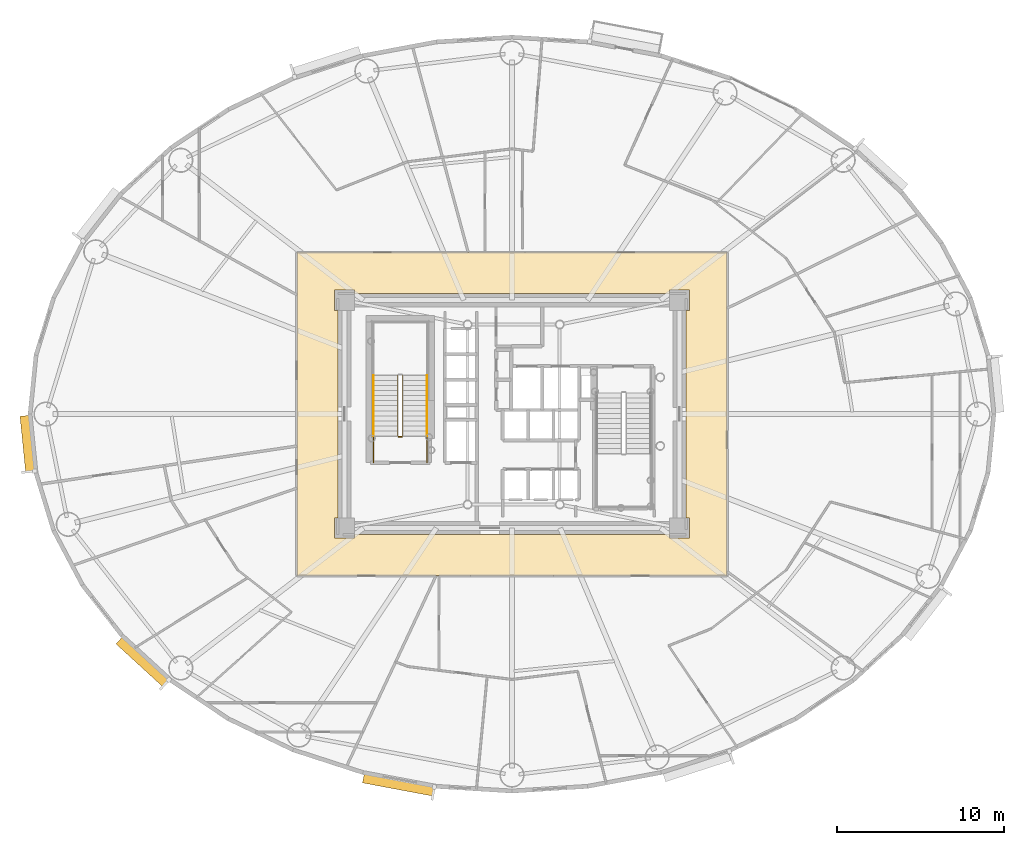
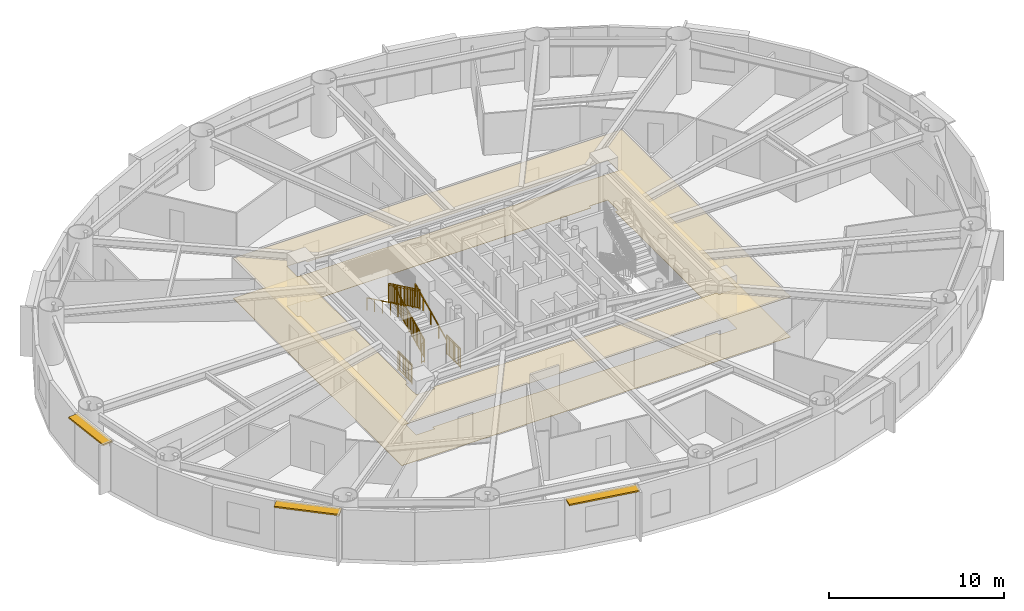
# One storey, part 13 of 17: 7 railings, 3 shading devices, 2 coverings.
"""IFC4 building model written with IfcOpenShell, lengths in metres."""

from ifc_helpers import new_model, si_unit, direction, frame, origin, origin_2d, place, context, subcontext, project, spatial, polyline, rectangle, outline, extrude, source, transform, mapped, material, layer, layer_set, type_object, element, save


model = new_model("IFC4")

# Units and contexts
model_context = context("Model", 3, precision=1e-05, world=origin(), true_north=direction((0.0, 1.0)))
body_context = subcontext(model_context, "Body", "Model", "MODEL_VIEW")
ifc_project = project(units=[si_unit("LENGTHUNIT", "METRE"), si_unit("AREAUNIT", "SQUARE_METRE"), si_unit("VOLUMEUNIT", "CUBIC_METRE"), si_unit("PLANEANGLEUNIT", "RADIAN"), si_unit("MASSUNIT", "GRAM", prefix="KILO")], contexts=[model_context])

# Site, building, storey
site_placement = place(None, origin())
site = spatial("IfcSite", under=ifc_project, at=site_placement, CompositionType="ELEMENT")
building_placement = place(site_placement, origin())
building = spatial("IfcBuilding", under=site, at=building_placement, Name="Linh Dai School and Residence Tower", CompositionType="ELEMENT")
storey_placement = place(building_placement, frame((0.0, 0.0, 142.199951171875)))
storey = spatial("IfcBuildingStorey", under=building, at=storey_placement, Name="L34", CompositionType="ELEMENT", Elevation=142.199951171875)

# Coverings
ifc_material_1 = material(Name="Mineral Fibre Acoustic Suspended Ceiling", Category="masonry")
ifc_layer_1 = layer(ifc_material_1, 0.02001953125)
ifc_layer_set_1 = layer_set([ifc_layer_1], Name="Mineral Fibre Acoustic Suspended Ceiling")
covering_type_1 = type_object("IfcCoveringType", Name="COV-CEIL-AC-20", PredefinedType="CEILING", material=ifc_layer_set_1)
covering_1_placement = place(storey_placement, frame((0.0, 0.0, 2.800048828125)))
element("IfcCovering", 1, at=covering_1_placement, inside=storey, type_object=covering_type_1, Name="L34 Residential Floor Corridor Suspended Ceiling", PredefinedType="CEILING", context=body_context, shape_type="SweptSolid", body=[
    extrude(outline(polyline([(48.85009765625, 36.64990234375), (48.85009765625, 17.35009765625), (23.14990234375, 17.35009765625), (23.14990234375, 36.64990234375), (48.85009765625, 36.64990234375)]), holes=[polyline([(26.60009765625, 34.199951171875), (26.60009765625, 34.39990234375), (25.39990234375, 34.39990234375), (25.39990234375, 33.199951171875), (25.60009765625, 33.199951171875), (25.60009765625, 20.800048828125), (25.39990234375, 20.800048828125), (25.39990234375, 19.60009765625), (26.60009765625, 19.60009765625), (26.60009765625, 19.800048828125), (45.39990234375, 19.800048828125), (45.39990234375, 19.60009765625), (46.60009765625, 19.60009765625), (46.60009765625, 20.800048828125), (46.39990234375, 20.800048828125), (46.39990234375, 33.199951171875), (46.60009765625, 33.199951171875), (46.60009765625, 34.39990234375), (45.39990234375, 34.39990234375), (45.39990234375, 34.199951171875), (26.60009765625, 34.199951171875)])]), origin(), (0.0, 0.0, 1.0), 0.02001953125),
])
ifc_material_2 = material(Name="Polished Terrazzo Floor Finish", Category="masonry")
ifc_layer_2 = layer(ifc_material_2, 0.02490234375)
ifc_layer_set_2 = layer_set([ifc_layer_2], Name="Polished Terrazzo Floor Finish")
covering_type_2 = type_object("IfcCoveringType", Name="COV-FLR-TRZ-25", PredefinedType="FLOORING", material=ifc_layer_set_2)
covering_2_placement = place(storey_placement, origin())
element("IfcCovering", 2, at=covering_2_placement, inside=storey, type_object=covering_type_2, Name="L34 Residential Floor Corridor Floor Finish", PredefinedType="FLOORING", context=body_context, shape_type="SweptSolid", body=[
    extrude(outline(polyline([(48.85009765625, 36.64990234375), (48.85009765625, 17.35009765625), (23.14990234375, 17.35009765625), (23.14990234375, 36.64990234375), (48.85009765625, 36.64990234375)]), holes=[polyline([(26.60009765625, 34.199951171875), (26.60009765625, 34.39990234375), (25.39990234375, 34.39990234375), (25.39990234375, 33.199951171875), (25.60009765625, 33.199951171875), (25.60009765625, 20.800048828125), (25.39990234375, 20.800048828125), (25.39990234375, 19.60009765625), (26.60009765625, 19.60009765625), (26.60009765625, 19.800048828125), (45.39990234375, 19.800048828125), (45.39990234375, 19.60009765625), (46.60009765625, 19.60009765625), (46.60009765625, 20.800048828125), (46.39990234375, 20.800048828125), (46.39990234375, 33.199951171875), (46.60009765625, 33.199951171875), (46.60009765625, 34.39990234375), (45.39990234375, 34.39990234375), (45.39990234375, 34.199951171875), (26.60009765625, 34.199951171875)])]), origin(), (0.0, 0.0, 1.0), 0.02001953125),
])

# Shading devices
ifc_material_3 = material(Name="Terracotta Ceramic Sunshade", Category="masonry")
ifc_layer_3 = layer(ifc_material_3, 0.10009765625)
ifc_layer_set_3 = layer_set([ifc_layer_3], Name="Terracotta Ceramic Sunshade")
shading_device_type = type_object("IfcShadingDeviceType", Name="SHD-TC-650", PredefinedType="USERDEFINED", material=ifc_layer_set_3)
shared_shape_1 = source(origin(), body_context, "Body", "SweptSolid", [
    extrude(rectangle(XDim=3.3916015625, YDim=0.64990234375, at=origin_2d()), origin(), (0.0, 0.0, 1.0), 0.10009765625),
])
shading_device_1_placement = place(storey_placement, frame((7.1181640625, 25.2138671875, 3.330078125), z_axis=(0.0, 0.0, 1.0), x_axis=(-0.100007297192, 0.994986703684, 0.0)))
element("IfcShadingDevice", 3, at=shading_device_1_placement, inside=storey, type_object=shading_device_type, Name="L34 Terracotta Horizontal Sunshade Band 21", ObjectType="SUNSHADE", PredefinedType="USERDEFINED", context=body_context, shape_type="MappedRepresentation", body=[
    mapped(shared_shape_1, transform((0.0, 0.0, 0.0), x_axis=(1.0, 0.0, 0.0), y_axis=(0.0, 1.0, 0.0), z_axis=(0.0, 0.0, 1.0), scale=1.0)),
])
shared_shape_2 = source(origin(), body_context, "Body", "SweptSolid", [
    extrude(rectangle(XDim=3.81689453125, YDim=0.64990234375, at=origin_2d()), origin(), (0.0, 0.0, 1.0), 0.10009765625),
])
shading_device_2_placement = place(storey_placement, frame((13.983642578125, 12.22998046875, 3.330078125), z_axis=(0.0, 0.0, 1.0), x_axis=(-0.737100266172, 0.675783395482, 0.0)))
element("IfcShadingDevice", 4, at=shading_device_2_placement, inside=storey, type_object=shading_device_type, Name="L34 Terracotta Horizontal Sunshade Band 25", ObjectType="SUNSHADE", PredefinedType="USERDEFINED", context=body_context, shape_type="MappedRepresentation", body=[
    mapped(shared_shape_2, transform((0.0, 0.0, 0.0), x_axis=(1.0, 0.0, 0.0), y_axis=(0.0, 1.0, 0.0), z_axis=(0.0, 0.0, 1.0), scale=1.0)),
])
shared_shape_3 = source(origin(), body_context, "Body", "SweptSolid", [
    extrude(rectangle(XDim=4.292236328125, YDim=0.64990234375, at=origin_2d()), origin(), (0.0, 0.0, 1.0), 0.10009765625),
])
shading_device_3_placement = place(storey_placement, frame((29.24462890625, 4.905517578125, 3.330078125), z_axis=(0.0, 0.0, 1.0), x_axis=(-0.982784673718, 0.18475466193, 0.0)))
element("IfcShadingDevice", 5, at=shading_device_3_placement, inside=storey, type_object=shading_device_type, Name="L34 Terracotta Horizontal Sunshade Band 29", ObjectType="SUNSHADE", PredefinedType="USERDEFINED", context=body_context, shape_type="MappedRepresentation", body=[
    mapped(shared_shape_3, transform((0.0, 0.0, 0.0), x_axis=(1.0, 0.0, 0.0), y_axis=(0.0, 1.0, 0.0), z_axis=(0.0, 0.0, 1.0), scale=1.0)),
])

# Railings
ifc_material_4 = material(Name="Structural Steel S355JR", Category="steel")
railing_type_1 = type_object("IfcRailingType", Name="RL-ST-GUARD-1400", PredefinedType="GUARDRAIL", material=ifc_material_4)
shared_shape_4 = source(origin(), body_context, "Body", "SweptSolid", [
    extrude(rectangle(XDim=0.048095703125, YDim=0.048095703125, at=origin_2d()), frame((0.0, 0.0, 1.3759765625), z_axis=(-1.0, 0.0, 0.0), x_axis=(0.0, -1.0, 0.0)), (0.0, 0.0, 1.0), 0.199951171875),
    extrude(rectangle(XDim=0.048095703125, YDim=0.048095703125, at=origin_2d()), frame((0.0, 0.0, 0.10009765625), z_axis=(-1.0, 0.0, 0.0), x_axis=(0.0, -1.0, 0.0)), (0.0, 0.0, 1.0), 0.199951171875),
    extrude(rectangle(XDim=0.030029296875, YDim=0.030029296875, at=origin_2d()), frame((0.0, 0.0, 1.239990234375), z_axis=(-1.0, 0.0, 0.0), x_axis=(0.0, -1.0, 0.0)), (0.0, 0.0, 1.0), 0.199951171875),
    extrude(rectangle(XDim=0.0419921875, YDim=0.0419921875, at=origin_2d()), origin(), (0.0, 0.0, 1.0), 1.3759765625),
    extrude(rectangle(XDim=0.0419921875, YDim=0.0419921875, at=origin_2d()), frame((-0.199951171875, 0.0, 0.0)), (0.0, 0.0, 1.0), 1.3759765625),
])
railing_1_placement = place(storey_placement, frame((29.429931640625, 25.64990234375, 0.0)))
element("IfcRailing", 6, at=railing_1_placement, inside=storey, type_object=railing_type_1, Name="L34 ST1 stair guard 7", PredefinedType="GUARDRAIL", context=body_context, shape_type="MappedRepresentation", body=[
    mapped(shared_shape_4, transform((0.0, 0.0, 0.0), x_axis=(1.0, 0.0, 0.0), y_axis=(0.0, 1.0, 0.0), z_axis=(0.0, 0.0, 1.0), scale=1.0)),
])
shared_shape_5 = source(origin(), body_context, "Body", "SweptSolid", [
    extrude(rectangle(XDim=0.048095703125, YDim=0.048095703125, at=origin_2d()), frame((0.0, 0.0, 1.3759765625), z_axis=(0.0, 1.0, 0.0), x_axis=(-1.0, 0.0, 0.0)), (0.0, 0.0, 1.0), 1.599853515625),
    extrude(rectangle(XDim=0.048095703125, YDim=0.048095703125, at=origin_2d()), frame((0.0, 0.0, 0.10009765625), z_axis=(0.0, 1.0, 0.0), x_axis=(-1.0, 0.0, 0.0)), (0.0, 0.0, 1.0), 1.599853515625),
    extrude(rectangle(XDim=0.030029296875, YDim=0.030029296875, at=origin_2d()), frame((0.0, 0.0, 1.239990234375), z_axis=(0.0, 1.0, 0.0), x_axis=(-1.0, 0.0, 0.0)), (0.0, 0.0, 1.0), 1.599853515625),
    extrude(rectangle(XDim=0.02001953125, YDim=0.02001953125, at=origin_2d()), frame((0.0, 0.093994140625, 0.10009765625)), (0.0, 0.0, 1.0), 1.251708984375),
    extrude(rectangle(XDim=0.02001953125, YDim=0.02001953125, at=origin_2d()), frame((0.0, 0.188232421875, 0.10009765625)), (0.0, 0.0, 1.0), 1.251708984375),
    extrude(rectangle(XDim=0.02001953125, YDim=0.02001953125, at=origin_2d()), frame((0.0, 0.2822265625, 0.10009765625)), (0.0, 0.0, 1.0), 1.251708984375),
    extrude(rectangle(XDim=0.02001953125, YDim=0.02001953125, at=origin_2d()), frame((0.0, 0.37646484375, 0.10009765625)), (0.0, 0.0, 1.0), 1.251708984375),
    extrude(rectangle(XDim=0.02001953125, YDim=0.02001953125, at=origin_2d()), frame((0.0, 0.470458984375, 0.10009765625)), (0.0, 0.0, 1.0), 1.251708984375),
    extrude(rectangle(XDim=0.02001953125, YDim=0.02001953125, at=origin_2d()), frame((0.0, 0.564697265625, 0.10009765625)), (0.0, 0.0, 1.0), 1.251708984375),
    extrude(rectangle(XDim=0.02001953125, YDim=0.02001953125, at=origin_2d()), frame((0.0, 0.65869140625, 0.10009765625)), (0.0, 0.0, 1.0), 1.251708984375),
    extrude(rectangle(XDim=0.02001953125, YDim=0.02001953125, at=origin_2d()), frame((0.0, 0.7529296875, 0.10009765625)), (0.0, 0.0, 1.0), 1.251708984375),
    extrude(rectangle(XDim=0.02001953125, YDim=0.02001953125, at=origin_2d()), frame((0.0, 0.846923828125, 0.10009765625)), (0.0, 0.0, 1.0), 1.251708984375),
    extrude(rectangle(XDim=0.02001953125, YDim=0.02001953125, at=origin_2d()), frame((0.0, 0.941162109375, 0.10009765625)), (0.0, 0.0, 1.0), 1.251708984375),
    extrude(rectangle(XDim=0.02001953125, YDim=0.02001953125, at=origin_2d()), frame((0.0, 1.03515625, 0.10009765625)), (0.0, 0.0, 1.0), 1.251708984375),
    extrude(rectangle(XDim=0.02001953125, YDim=0.02001953125, at=origin_2d()), frame((0.0, 1.12939453125, 0.10009765625)), (0.0, 0.0, 1.0), 1.251708984375),
    extrude(rectangle(XDim=0.02001953125, YDim=0.02001953125, at=origin_2d()), frame((0.0, 1.223388671875, 0.10009765625)), (0.0, 0.0, 1.0), 1.251708984375),
    extrude(rectangle(XDim=0.02001953125, YDim=0.02001953125, at=origin_2d()), frame((0.0, 1.317626953125, 0.10009765625)), (0.0, 0.0, 1.0), 1.251708984375),
    extrude(rectangle(XDim=0.02001953125, YDim=0.02001953125, at=origin_2d()), frame((0.0, 1.41162109375, 0.10009765625)), (0.0, 0.0, 1.0), 1.251708984375),
    extrude(rectangle(XDim=0.02001953125, YDim=0.02001953125, at=origin_2d()), frame((0.0, 1.505859375, 0.10009765625)), (0.0, 0.0, 1.0), 1.251708984375),
    extrude(rectangle(XDim=0.0419921875, YDim=0.0419921875, at=origin_2d()), origin(), (0.0, 0.0, 1.0), 1.3759765625),
    extrude(rectangle(XDim=0.0419921875, YDim=0.0419921875, at=origin_2d()), frame((0.0, 0.7998046875, 0.0)), (0.0, 0.0, 1.0), 1.3759765625),
    extrude(rectangle(XDim=0.0419921875, YDim=0.0419921875, at=origin_2d()), frame((0.0, 1.599853515625, 0.0)), (0.0, 0.0, 1.0), 1.3759765625),
])
for number, where, name in (
    (7, (30.929931640625, 24.10009765625, 0.0), "L34 ST1 stair guard 8"),
    (8, (27.72998046875, 24.10009765625, 0.0), "L34 ST1 stair guard 9"),
):
    element("IfcRailing", number, at=place(storey_placement, frame(where)), inside=storey, type_object=railing_type_1, Name=name, PredefinedType="GUARDRAIL", context=body_context, shape_type="MappedRepresentation", body=[
        mapped(shared_shape_5, transform((0.0, 0.0, 0.0), x_axis=(1.0, 0.0, 0.0), y_axis=(0.0, 1.0, 0.0), z_axis=(0.0, 0.0, 1.0), scale=1.0)),
    ])
shared_shape_6 = source(origin(), body_context, "Body", "SweptSolid", [
    extrude(rectangle(XDim=0.048095703125, YDim=0.048095703125, at=origin_2d()), frame((0.0, 0.0, 1.3759765625), z_axis=(0.0, 0.901262522062, 0.433273431364), x_axis=(-1.0, 0.0, 0.0)), (0.0, 0.0, 1.0), 3.994384765625),
    extrude(rectangle(XDim=0.048095703125, YDim=0.048095703125, at=origin_2d()), frame((0.0, 0.0, 0.10009765625), z_axis=(0.0, 0.901262522062, 0.433273431364), x_axis=(-1.0, 0.0, 0.0)), (0.0, 0.0, 1.0), 3.994384765625),
    extrude(rectangle(XDim=0.030029296875, YDim=0.030029296875, at=origin_2d()), frame((0.0, 0.0, 1.239990234375), z_axis=(0.0, 0.901262522062, 0.433273431364), x_axis=(-1.0, 0.0, 0.0)), (0.0, 0.0, 1.0), 3.994384765625),
    extrude(rectangle(XDim=0.02001953125, YDim=0.02001953125, at=origin_2d()), frame((0.0, 0.087890625, 0.142333984375)), (0.0, 0.0, 1.0), 1.251708984375),
    extrude(rectangle(XDim=0.02001953125, YDim=0.02001953125, at=origin_2d()), frame((0.0, 0.175537109375, 0.1845703125)), (0.0, 0.0, 1.0), 1.251708984375),
    extrude(rectangle(XDim=0.02001953125, YDim=0.02001953125, at=origin_2d()), frame((0.0, 0.263427734375, 0.226806640625)), (0.0, 0.0, 1.0), 1.251708984375),
    extrude(rectangle(XDim=0.02001953125, YDim=0.02001953125, at=origin_2d()), frame((0.0, 0.351318359375, 0.26904296875)), (0.0, 0.0, 1.0), 1.251708984375),
    extrude(rectangle(XDim=0.02001953125, YDim=0.02001953125, at=origin_2d()), frame((0.0, 0.43896484375, 0.311279296875)), (0.0, 0.0, 1.0), 1.251708984375),
    extrude(rectangle(XDim=0.02001953125, YDim=0.02001953125, at=origin_2d()), frame((0.0, 0.52685546875, 0.353271484375)), (0.0, 0.0, 1.0), 1.251708984375),
    extrude(rectangle(XDim=0.02001953125, YDim=0.02001953125, at=origin_2d()), frame((0.0, 0.61474609375, 0.3955078125)), (0.0, 0.0, 1.0), 1.251708984375),
    extrude(rectangle(XDim=0.02001953125, YDim=0.02001953125, at=origin_2d()), frame((0.0, 0.702392578125, 0.437744140625)), (0.0, 0.0, 1.0), 1.251708984375),
    extrude(rectangle(XDim=0.02001953125, YDim=0.02001953125, at=origin_2d()), frame((0.0, 0.790283203125, 0.47998046875)), (0.0, 0.0, 1.0), 1.251708984375),
    extrude(rectangle(XDim=0.02001953125, YDim=0.02001953125, at=origin_2d()), frame((0.0, 0.9658203125, 0.564453125)), (0.0, 0.0, 1.0), 1.251708984375),
    extrude(rectangle(XDim=0.02001953125, YDim=0.02001953125, at=origin_2d()), frame((0.0, 1.0537109375, 0.606689453125)), (0.0, 0.0, 1.0), 1.251708984375),
    extrude(rectangle(XDim=0.02001953125, YDim=0.02001953125, at=origin_2d()), frame((0.0, 1.1416015625, 0.64892578125)), (0.0, 0.0, 1.0), 1.251708984375),
    extrude(rectangle(XDim=0.02001953125, YDim=0.02001953125, at=origin_2d()), frame((0.0, 1.229248046875, 0.691162109375)), (0.0, 0.0, 1.0), 1.251708984375),
    extrude(rectangle(XDim=0.02001953125, YDim=0.02001953125, at=origin_2d()), frame((0.0, 1.317138671875, 0.7333984375)), (0.0, 0.0, 1.0), 1.251708984375),
    extrude(rectangle(XDim=0.02001953125, YDim=0.02001953125, at=origin_2d()), frame((0.0, 1.405029296875, 0.775390625)), (0.0, 0.0, 1.0), 1.251708984375),
    extrude(rectangle(XDim=0.02001953125, YDim=0.02001953125, at=origin_2d()), frame((0.0, 1.49267578125, 0.817626953125)), (0.0, 0.0, 1.0), 1.251708984375),
    extrude(rectangle(XDim=0.02001953125, YDim=0.02001953125, at=origin_2d()), frame((0.0, 1.58056640625, 0.85986328125)), (0.0, 0.0, 1.0), 1.251708984375),
    extrude(rectangle(XDim=0.02001953125, YDim=0.02001953125, at=origin_2d()), frame((0.0, 1.66845703125, 0.902099609375)), (0.0, 0.0, 1.0), 1.251708984375),
    extrude(rectangle(XDim=0.02001953125, YDim=0.02001953125, at=origin_2d()), frame((0.0, 1.756103515625, 0.9443359375)), (0.0, 0.0, 1.0), 1.251708984375),
    extrude(rectangle(XDim=0.02001953125, YDim=0.02001953125, at=origin_2d()), frame((0.0, 1.843994140625, 0.986572265625)), (0.0, 0.0, 1.0), 1.251708984375),
    extrude(rectangle(XDim=0.02001953125, YDim=0.02001953125, at=origin_2d()), frame((0.0, 1.931640625, 1.02880859375)), (0.0, 0.0, 1.0), 1.251708984375),
    extrude(rectangle(XDim=0.02001953125, YDim=0.02001953125, at=origin_2d()), frame((0.0, 2.01953125, 1.071044921875)), (0.0, 0.0, 1.0), 1.251708984375),
    extrude(rectangle(XDim=0.02001953125, YDim=0.02001953125, at=origin_2d()), frame((0.0, 2.107421875, 1.11328125)), (0.0, 0.0, 1.0), 1.251708984375),
    extrude(rectangle(XDim=0.02001953125, YDim=0.02001953125, at=origin_2d()), frame((0.0, 2.195068359375, 1.155517578125)), (0.0, 0.0, 1.0), 1.251708984375),
    extrude(rectangle(XDim=0.02001953125, YDim=0.02001953125, at=origin_2d()), frame((0.0, 2.282958984375, 1.197509765625)), (0.0, 0.0, 1.0), 1.251708984375),
    extrude(rectangle(XDim=0.02001953125, YDim=0.02001953125, at=origin_2d()), frame((0.0, 2.370849609375, 1.23974609375)), (0.0, 0.0, 1.0), 1.251708984375),
    extrude(rectangle(XDim=0.02001953125, YDim=0.02001953125, at=origin_2d()), frame((0.0, 2.45849609375, 1.281982421875)), (0.0, 0.0, 1.0), 1.251708984375),
    extrude(rectangle(XDim=0.02001953125, YDim=0.02001953125, at=origin_2d()), frame((0.0, 2.54638671875, 1.32421875)), (0.0, 0.0, 1.0), 1.251708984375),
    extrude(rectangle(XDim=0.02001953125, YDim=0.02001953125, at=origin_2d()), frame((0.0, 2.63427734375, 1.366455078125)), (0.0, 0.0, 1.0), 1.251708984375),
    extrude(rectangle(XDim=0.02001953125, YDim=0.02001953125, at=origin_2d()), frame((0.0, 2.809814453125, 1.450927734375)), (0.0, 0.0, 1.0), 1.251708984375),
    extrude(rectangle(XDim=0.02001953125, YDim=0.02001953125, at=origin_2d()), frame((0.0, 2.897705078125, 1.4931640625)), (0.0, 0.0, 1.0), 1.251708984375),
    extrude(rectangle(XDim=0.02001953125, YDim=0.02001953125, at=origin_2d()), frame((0.0, 2.9853515625, 1.535400390625)), (0.0, 0.0, 1.0), 1.251708984375),
    extrude(rectangle(XDim=0.02001953125, YDim=0.02001953125, at=origin_2d()), frame((0.0, 3.0732421875, 1.57763671875)), (0.0, 0.0, 1.0), 1.251708984375),
    extrude(rectangle(XDim=0.02001953125, YDim=0.02001953125, at=origin_2d()), frame((0.0, 3.1611328125, 1.61962890625)), (0.0, 0.0, 1.0), 1.251708984375),
    extrude(rectangle(XDim=0.02001953125, YDim=0.02001953125, at=origin_2d()), frame((0.0, 3.248779296875, 1.661865234375)), (0.0, 0.0, 1.0), 1.251708984375),
    extrude(rectangle(XDim=0.02001953125, YDim=0.02001953125, at=origin_2d()), frame((0.0, 3.336669921875, 1.7041015625)), (0.0, 0.0, 1.0), 1.251708984375),
    extrude(rectangle(XDim=0.02001953125, YDim=0.02001953125, at=origin_2d()), frame((0.0, 3.424560546875, 1.746337890625)), (0.0, 0.0, 1.0), 1.251708984375),
    extrude(rectangle(XDim=0.02001953125, YDim=0.02001953125, at=origin_2d()), frame((0.0, 3.51220703125, 1.78857421875)), (0.0, 0.0, 1.0), 1.251708984375),
    extrude(rectangle(XDim=0.0419921875, YDim=0.0419921875, at=origin_2d()), origin(), (0.0, 0.0, 1.0), 1.3759765625),
    extrude(rectangle(XDim=0.0419921875, YDim=0.0419921875, at=origin_2d()), frame((0.0, 0.89990234375, 0.4326171875)), (0.0, 0.0, 1.0), 1.3759765625),
    extrude(rectangle(XDim=0.0419921875, YDim=0.0419921875, at=origin_2d()), frame((0.0, 1.800048828125, 0.865234375)), (0.0, 0.0, 1.0), 1.3759765625),
    extrude(rectangle(XDim=0.0419921875, YDim=0.0419921875, at=origin_2d()), frame((0.0, 2.7001953125, 1.298095703125)), (0.0, 0.0, 1.0), 1.3759765625),
    extrude(rectangle(XDim=0.0419921875, YDim=0.0419921875, at=origin_2d()), frame((0.0, 3.60009765625, 1.730712890625)), (0.0, 0.0, 1.0), 1.3759765625),
])
railing_2_placement = place(storey_placement, frame((29.47998046875, 25.699951171875, 0.144287109375)))
element("IfcRailing", 9, at=railing_2_placement, inside=storey, type_object=railing_type_1, Name="L34 ST1 stair guard 1", PredefinedType="GUARDRAIL", context=body_context, shape_type="MappedRepresentation", body=[
    mapped(shared_shape_6, transform((0.0, 0.0, 0.0), x_axis=(1.0, 0.0, 0.0), y_axis=(0.0, 1.0, 0.0), z_axis=(0.0, 0.0, 1.0), scale=1.0)),
])
shared_shape_7 = source(origin(), body_context, "Body", "SweptSolid", [
    extrude(rectangle(XDim=0.048095703125, YDim=0.048095703125, at=origin_2d()), frame((0.0, 0.0, 1.3759765625), z_axis=(0.0, -0.901262522062, 0.433273431364), x_axis=(1.0, 0.0, 0.0)), (0.0, 0.0, 1.0), 3.994384765625),
    extrude(rectangle(XDim=0.048095703125, YDim=0.048095703125, at=origin_2d()), frame((0.0, 0.0, 0.10009765625), z_axis=(0.0, -0.901262522062, 0.433273431364), x_axis=(1.0, 0.0, 0.0)), (0.0, 0.0, 1.0), 3.994384765625),
    extrude(rectangle(XDim=0.030029296875, YDim=0.030029296875, at=origin_2d()), frame((0.0, 0.0, 1.239990234375), z_axis=(0.0, -0.901262522062, 0.433273431364), x_axis=(1.0, 0.0, 0.0)), (0.0, 0.0, 1.0), 3.994384765625),
    extrude(rectangle(XDim=0.02001953125, YDim=0.02001953125, at=origin_2d()), frame((0.0, -0.087890625, 0.142333984375)), (0.0, 0.0, 1.0), 1.251708984375),
    extrude(rectangle(XDim=0.02001953125, YDim=0.02001953125, at=origin_2d()), frame((0.0, -0.175537109375, 0.1845703125)), (0.0, 0.0, 1.0), 1.251708984375),
    extrude(rectangle(XDim=0.02001953125, YDim=0.02001953125, at=origin_2d()), frame((0.0, -0.263427734375, 0.226806640625)), (0.0, 0.0, 1.0), 1.251708984375),
    extrude(rectangle(XDim=0.02001953125, YDim=0.02001953125, at=origin_2d()), frame((0.0, -0.351318359375, 0.26904296875)), (0.0, 0.0, 1.0), 1.251708984375),
    extrude(rectangle(XDim=0.02001953125, YDim=0.02001953125, at=origin_2d()), frame((0.0, -0.43896484375, 0.311279296875)), (0.0, 0.0, 1.0), 1.251708984375),
    extrude(rectangle(XDim=0.02001953125, YDim=0.02001953125, at=origin_2d()), frame((0.0, -0.52685546875, 0.353271484375)), (0.0, 0.0, 1.0), 1.251708984375),
    extrude(rectangle(XDim=0.02001953125, YDim=0.02001953125, at=origin_2d()), frame((0.0, -0.61474609375, 0.3955078125)), (0.0, 0.0, 1.0), 1.251708984375),
    extrude(rectangle(XDim=0.02001953125, YDim=0.02001953125, at=origin_2d()), frame((0.0, -0.702392578125, 0.437744140625)), (0.0, 0.0, 1.0), 1.251708984375),
    extrude(rectangle(XDim=0.02001953125, YDim=0.02001953125, at=origin_2d()), frame((0.0, -0.790283203125, 0.47998046875)), (0.0, 0.0, 1.0), 1.251708984375),
    extrude(rectangle(XDim=0.02001953125, YDim=0.02001953125, at=origin_2d()), frame((0.0, -0.9658203125, 0.564453125)), (0.0, 0.0, 1.0), 1.251708984375),
    extrude(rectangle(XDim=0.02001953125, YDim=0.02001953125, at=origin_2d()), frame((0.0, -1.0537109375, 0.606689453125)), (0.0, 0.0, 1.0), 1.251708984375),
    extrude(rectangle(XDim=0.02001953125, YDim=0.02001953125, at=origin_2d()), frame((0.0, -1.1416015625, 0.64892578125)), (0.0, 0.0, 1.0), 1.251708984375),
    extrude(rectangle(XDim=0.02001953125, YDim=0.02001953125, at=origin_2d()), frame((0.0, -1.229248046875, 0.691162109375)), (0.0, 0.0, 1.0), 1.251708984375),
    extrude(rectangle(XDim=0.02001953125, YDim=0.02001953125, at=origin_2d()), frame((0.0, -1.317138671875, 0.7333984375)), (0.0, 0.0, 1.0), 1.251708984375),
    extrude(rectangle(XDim=0.02001953125, YDim=0.02001953125, at=origin_2d()), frame((0.0, -1.405029296875, 0.775390625)), (0.0, 0.0, 1.0), 1.251708984375),
    extrude(rectangle(XDim=0.02001953125, YDim=0.02001953125, at=origin_2d()), frame((0.0, -1.49267578125, 0.817626953125)), (0.0, 0.0, 1.0), 1.251708984375),
    extrude(rectangle(XDim=0.02001953125, YDim=0.02001953125, at=origin_2d()), frame((0.0, -1.58056640625, 0.85986328125)), (0.0, 0.0, 1.0), 1.251708984375),
    extrude(rectangle(XDim=0.02001953125, YDim=0.02001953125, at=origin_2d()), frame((0.0, -1.66845703125, 0.902099609375)), (0.0, 0.0, 1.0), 1.251708984375),
    extrude(rectangle(XDim=0.02001953125, YDim=0.02001953125, at=origin_2d()), frame((0.0, -1.756103515625, 0.9443359375)), (0.0, 0.0, 1.0), 1.251708984375),
    extrude(rectangle(XDim=0.02001953125, YDim=0.02001953125, at=origin_2d()), frame((0.0, -1.843994140625, 0.986572265625)), (0.0, 0.0, 1.0), 1.251708984375),
    extrude(rectangle(XDim=0.02001953125, YDim=0.02001953125, at=origin_2d()), frame((0.0, -1.931640625, 1.02880859375)), (0.0, 0.0, 1.0), 1.251708984375),
    extrude(rectangle(XDim=0.02001953125, YDim=0.02001953125, at=origin_2d()), frame((0.0, -2.01953125, 1.071044921875)), (0.0, 0.0, 1.0), 1.251708984375),
    extrude(rectangle(XDim=0.02001953125, YDim=0.02001953125, at=origin_2d()), frame((0.0, -2.107421875, 1.11328125)), (0.0, 0.0, 1.0), 1.251708984375),
    extrude(rectangle(XDim=0.02001953125, YDim=0.02001953125, at=origin_2d()), frame((0.0, -2.195068359375, 1.155517578125)), (0.0, 0.0, 1.0), 1.251708984375),
    extrude(rectangle(XDim=0.02001953125, YDim=0.02001953125, at=origin_2d()), frame((0.0, -2.282958984375, 1.197509765625)), (0.0, 0.0, 1.0), 1.251708984375),
    extrude(rectangle(XDim=0.02001953125, YDim=0.02001953125, at=origin_2d()), frame((0.0, -2.370849609375, 1.23974609375)), (0.0, 0.0, 1.0), 1.251708984375),
    extrude(rectangle(XDim=0.02001953125, YDim=0.02001953125, at=origin_2d()), frame((0.0, -2.45849609375, 1.281982421875)), (0.0, 0.0, 1.0), 1.251708984375),
    extrude(rectangle(XDim=0.02001953125, YDim=0.02001953125, at=origin_2d()), frame((0.0, -2.54638671875, 1.32421875)), (0.0, 0.0, 1.0), 1.251708984375),
    extrude(rectangle(XDim=0.02001953125, YDim=0.02001953125, at=origin_2d()), frame((0.0, -2.63427734375, 1.366455078125)), (0.0, 0.0, 1.0), 1.251708984375),
    extrude(rectangle(XDim=0.02001953125, YDim=0.02001953125, at=origin_2d()), frame((0.0, -2.809814453125, 1.450927734375)), (0.0, 0.0, 1.0), 1.251708984375),
    extrude(rectangle(XDim=0.02001953125, YDim=0.02001953125, at=origin_2d()), frame((0.0, -2.897705078125, 1.4931640625)), (0.0, 0.0, 1.0), 1.251708984375),
    extrude(rectangle(XDim=0.02001953125, YDim=0.02001953125, at=origin_2d()), frame((0.0, -2.9853515625, 1.535400390625)), (0.0, 0.0, 1.0), 1.251708984375),
    extrude(rectangle(XDim=0.02001953125, YDim=0.02001953125, at=origin_2d()), frame((0.0, -3.0732421875, 1.57763671875)), (0.0, 0.0, 1.0), 1.251708984375),
    extrude(rectangle(XDim=0.02001953125, YDim=0.02001953125, at=origin_2d()), frame((0.0, -3.1611328125, 1.61962890625)), (0.0, 0.0, 1.0), 1.251708984375),
    extrude(rectangle(XDim=0.02001953125, YDim=0.02001953125, at=origin_2d()), frame((0.0, -3.248779296875, 1.661865234375)), (0.0, 0.0, 1.0), 1.251708984375),
    extrude(rectangle(XDim=0.02001953125, YDim=0.02001953125, at=origin_2d()), frame((0.0, -3.336669921875, 1.7041015625)), (0.0, 0.0, 1.0), 1.251708984375),
    extrude(rectangle(XDim=0.02001953125, YDim=0.02001953125, at=origin_2d()), frame((0.0, -3.424560546875, 1.746337890625)), (0.0, 0.0, 1.0), 1.251708984375),
    extrude(rectangle(XDim=0.02001953125, YDim=0.02001953125, at=origin_2d()), frame((0.0, -3.51220703125, 1.78857421875)), (0.0, 0.0, 1.0), 1.251708984375),
    extrude(rectangle(XDim=0.0419921875, YDim=0.0419921875, at=origin_2d()), origin(), (0.0, 0.0, 1.0), 1.3759765625),
    extrude(rectangle(XDim=0.0419921875, YDim=0.0419921875, at=origin_2d()), frame((0.0, -0.89990234375, 0.4326171875)), (0.0, 0.0, 1.0), 1.3759765625),
    extrude(rectangle(XDim=0.0419921875, YDim=0.0419921875, at=origin_2d()), frame((0.0, -1.800048828125, 0.865234375)), (0.0, 0.0, 1.0), 1.3759765625),
    extrude(rectangle(XDim=0.0419921875, YDim=0.0419921875, at=origin_2d()), frame((0.0, -2.7001953125, 1.298095703125)), (0.0, 0.0, 1.0), 1.3759765625),
    extrude(rectangle(XDim=0.0419921875, YDim=0.0419921875, at=origin_2d()), frame((0.0, -3.60009765625, 1.730712890625)), (0.0, 0.0, 1.0), 1.3759765625),
])
railing_3_placement = place(storey_placement, frame((29.179931640625, 29.300048828125, 2.019287109375)))
element("IfcRailing", 10, at=railing_3_placement, inside=storey, type_object=railing_type_1, Name="L34 ST1 stair guard 6", PredefinedType="GUARDRAIL", context=body_context, shape_type="MappedRepresentation", body=[
    mapped(shared_shape_7, transform((0.0, 0.0, 0.0), x_axis=(1.0, 0.0, 0.0), y_axis=(0.0, 1.0, 0.0), z_axis=(0.0, 0.0, 1.0), scale=1.0)),
])
ifc_material_5 = material(Name="Brushed Stainless Steel Handrail", Category="steel")
railing_type_2 = type_object("IfcRailingType", Name="RL-ST-HANDRAIL-900", PredefinedType="HANDRAIL", material=ifc_material_5)
shared_shape_8 = source(origin(), body_context, "Body", "SweptSolid", [
    extrude(rectangle(XDim=0.048095703125, YDim=0.048095703125, at=origin_2d()), frame((0.0, 0.0, 0.8759765625), z_axis=(0.0, 0.901262522062, 0.433273431364), x_axis=(-1.0, 0.0, 0.0)), (0.0, 0.0, 1.0), 3.994384765625),
    extrude(rectangle(XDim=0.0419921875, YDim=0.0419921875, at=origin_2d()), origin(), (0.0, 0.0, 1.0), 0.8759765625),
    extrude(rectangle(XDim=0.0419921875, YDim=0.0419921875, at=origin_2d()), frame((0.0, 0.89990234375, 0.4326171875)), (0.0, 0.0, 1.0), 0.8759765625),
    extrude(rectangle(XDim=0.0419921875, YDim=0.0419921875, at=origin_2d()), frame((0.0, 1.800048828125, 0.865234375)), (0.0, 0.0, 1.0), 0.8759765625),
    extrude(rectangle(XDim=0.0419921875, YDim=0.0419921875, at=origin_2d()), frame((0.0, 2.7001953125, 1.298095703125)), (0.0, 0.0, 1.0), 0.8759765625),
    extrude(rectangle(XDim=0.0419921875, YDim=0.0419921875, at=origin_2d()), frame((0.0, 3.60009765625, 1.730712890625)), (0.0, 0.0, 1.0), 0.8759765625),
])
railing_4_placement = place(storey_placement, frame((30.929931640625, 25.699951171875, 0.144287109375)))
element("IfcRailing", 11, at=railing_4_placement, inside=storey, type_object=railing_type_2, Name="L34 ST1 stair handrail 1", PredefinedType="HANDRAIL", context=body_context, shape_type="MappedRepresentation", body=[
    mapped(shared_shape_8, transform((0.0, 0.0, 0.0), x_axis=(1.0, 0.0, 0.0), y_axis=(0.0, 1.0, 0.0), z_axis=(0.0, 0.0, 1.0), scale=1.0)),
])
shared_shape_9 = source(origin(), body_context, "Body", "SweptSolid", [
    extrude(rectangle(XDim=0.048095703125, YDim=0.048095703125, at=origin_2d()), frame((0.0, 0.0, 0.8759765625), z_axis=(0.0, -0.901262522062, 0.433273431364), x_axis=(1.0, 0.0, 0.0)), (0.0, 0.0, 1.0), 3.994384765625),
    extrude(rectangle(XDim=0.0419921875, YDim=0.0419921875, at=origin_2d()), origin(), (0.0, 0.0, 1.0), 0.8759765625),
    extrude(rectangle(XDim=0.0419921875, YDim=0.0419921875, at=origin_2d()), frame((0.0, -0.89990234375, 0.4326171875)), (0.0, 0.0, 1.0), 0.8759765625),
    extrude(rectangle(XDim=0.0419921875, YDim=0.0419921875, at=origin_2d()), frame((0.0, -1.800048828125, 0.865234375)), (0.0, 0.0, 1.0), 0.8759765625),
    extrude(rectangle(XDim=0.0419921875, YDim=0.0419921875, at=origin_2d()), frame((0.0, -2.7001953125, 1.298095703125)), (0.0, 0.0, 1.0), 0.8759765625),
    extrude(rectangle(XDim=0.0419921875, YDim=0.0419921875, at=origin_2d()), frame((0.0, -3.60009765625, 1.730712890625)), (0.0, 0.0, 1.0), 0.8759765625),
])
railing_5_placement = place(storey_placement, frame((27.72998046875, 29.300048828125, 2.019287109375)))
element("IfcRailing", 12, at=railing_5_placement, inside=storey, type_object=railing_type_2, Name="L34 ST1 stair handrail 2", PredefinedType="HANDRAIL", context=body_context, shape_type="MappedRepresentation", body=[
    mapped(shared_shape_9, transform((0.0, 0.0, 0.0), x_axis=(1.0, 0.0, 0.0), y_axis=(0.0, 1.0, 0.0), z_axis=(0.0, 0.0, 1.0), scale=1.0)),
])

save(model, "model.ifc")
